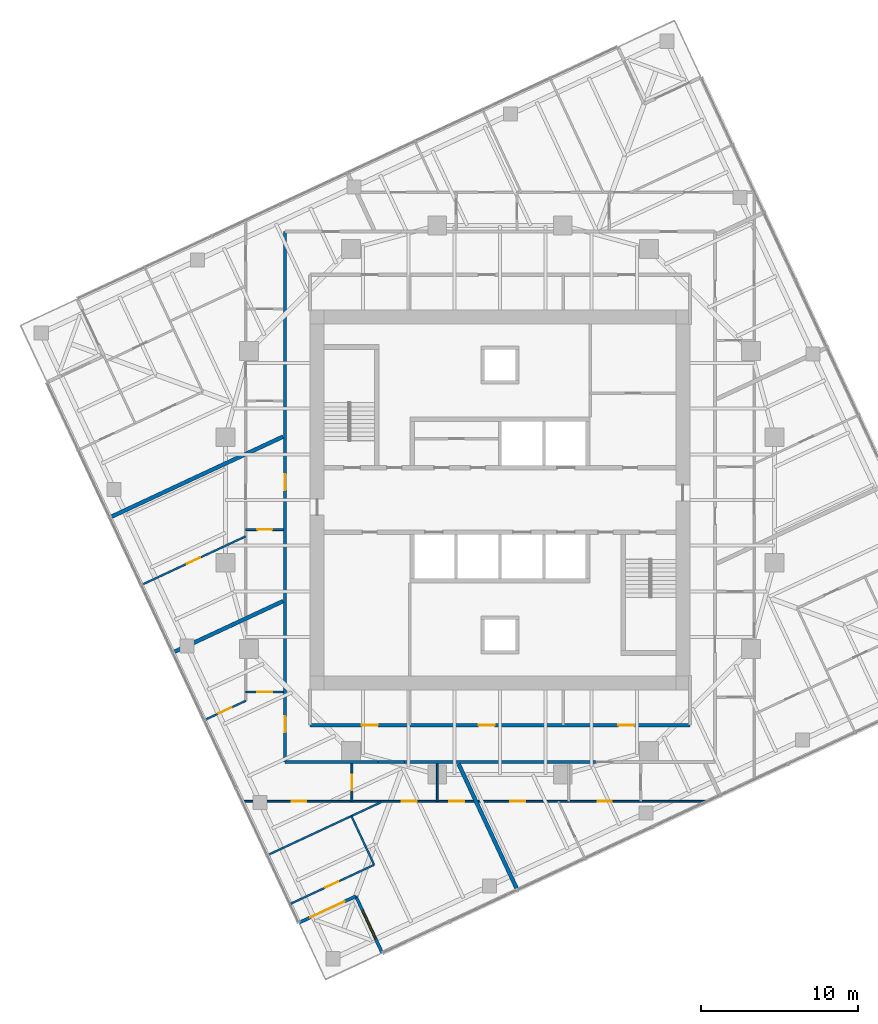
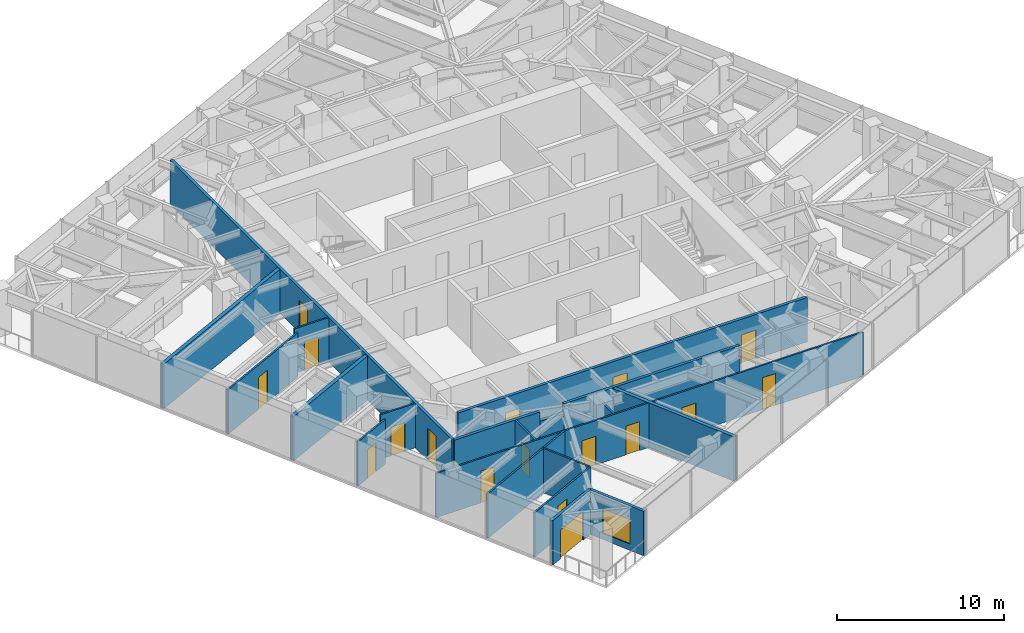
# One storey, part 7 of 12: 20 walls, 17 doors, 1 window, 18 openings.
"""IFC4 building model written with IfcOpenShell, lengths in metres."""

from ifc_helpers import new_model, si_unit, direction, frame, frame_2d, origin, place, context, subcontext, project, spatial, rectangle, extrude, material, layer, layer_set, type_object, element, fill, save


model = new_model("IFC4")

# Units and contexts
model_context = context("Model", 3, precision=1e-05, world=origin(), true_north=direction((0.0, 1.0)))
body_context = subcontext(model_context, "Body", "Model", "MODEL_VIEW")
ifc_project = project(units=[si_unit("LENGTHUNIT", "METRE"), si_unit("AREAUNIT", "SQUARE_METRE"), si_unit("VOLUMEUNIT", "CUBIC_METRE"), si_unit("PLANEANGLEUNIT", "RADIAN"), si_unit("MASSUNIT", "GRAM", prefix="KILO")], contexts=[model_context])

# Site, building, storey
site_placement = place(None, origin())
site = spatial("IfcSite", under=ifc_project, at=site_placement, CompositionType="ELEMENT")
building_placement = place(site_placement, origin())
building = spatial("IfcBuilding", under=site, at=building_placement, Name="Torsade Residences", CompositionType="ELEMENT")
storey_placement = place(building_placement, frame((0.0, 0.0, 193.0)))
storey = spatial("IfcBuildingStorey", under=building, at=storey_placement, Name="L53", CompositionType="ELEMENT", Elevation=193.0)

# Walls
ifc_material_1 = material(Name="Plasterboard on steel stud", Category="steel")
ifc_layer_1 = layer(ifc_material_1, 0.199951171875)
ifc_layer_set_1 = layer_set([ifc_layer_1], Name="Plasterboard on steel stud")
wall_type_1 = type_object("IfcWallType", Name="CORRIDOR WALL 200", PredefinedType="PARTITIONING", material=ifc_layer_set_1)
wall_1_placement = place(storey_placement, frame((26.300048828125, 13.300048828125, 0.0), z_axis=(0.0, 0.0, 1.0), x_axis=(1.0, 0.0, 0.0)))
element("IfcWall", 1, at=wall_1_placement, inside=storey, type_object=wall_type_1, Name="Corridor wall L53", PredefinedType="PARTITIONING", context=body_context, shape_type="SweptSolid", body=[
    extrude(rectangle(XDim=5.9248046875, YDim=0.199951171875, at=frame_2d((2.96240234375, 0.0))), origin(), (0.0, 0.0, 1.0), 3.25),
])
wall_2_placement = place(storey_placement, frame((32.224853515625, 13.300048828125, 0.0), z_axis=(0.0, 0.0, 1.0), x_axis=(1.0, 0.0, 0.0)))
element("IfcWall", 2, at=wall_2_placement, inside=storey, type_object=wall_type_1, Name="Corridor wall L53", PredefinedType="PARTITIONING", context=body_context, shape_type="SweptSolid", body=[
    extrude(rectangle(XDim=1.68359375, YDim=0.199951171875, at=frame_2d((0.841796875, 0.0))), origin(), (0.0, 0.0, 1.0), 2.550048828125),
])
wall_3_placement = place(storey_placement, frame((33.908447265625, 13.300048828125, 0.0), z_axis=(0.0, 0.0, 1.0), x_axis=(1.0, 0.0, 0.0)))
element("IfcWall", 3, at=wall_3_placement, inside=storey, type_object=wall_type_1, Name="Corridor wall L53", PredefinedType="PARTITIONING", context=body_context, shape_type="SweptSolid", body=[
    extrude(rectangle(XDim=12.18310546875, YDim=0.199951171875, at=frame_2d((6.091552734375, 0.0))), origin(), (0.0, 0.0, 1.0), 3.25),
])

# Wall, openings, doors
wall_4_placement = place(storey_placement, frame((26.300048828125, 47.10009765625, 0.0), z_axis=(0.0, 0.0, 1.0), x_axis=(0.0, -1.0, 0.0)))
wall_4 = element("IfcWall", 4, at=wall_4_placement, inside=storey, type_object=wall_type_1, Name="Corridor wall L53", PredefinedType="PARTITIONING", context=body_context, shape_type="SweptSolid", body=[
    extrude(rectangle(XDim=33.800048828125, YDim=0.199951171875, at=frame_2d((16.89990234375, 0.0))), origin(), (0.0, 0.0, 1.0), 3.25),
])
opening_1_placement = place(wall_4_placement, frame((15.44873046875, 0.0, 0.0)))
opening_1 = element("IfcOpeningElement", 5, at=opening_1_placement, cuts=wall_4, Name="Opening D01", PredefinedType="OPENING", context=body_context, shape_type="SweptSolid", body=[
    extrude(rectangle(XDim=1.02001953125, YDim=2.340087890625, at=frame_2d((0.510009765625, 1.169921875))), frame((0.0, 0.10986328125, 0.0), z_axis=(0.0, -1.0, 0.0), x_axis=(1.0, 0.0, 0.0)), (0.0, 0.0, 1.0), 0.219970703125),
])
opening_2_placement = place(wall_4_placement, frame((30.882568359375, 0.0, 0.0)))
opening_2 = element("IfcOpeningElement", 6, at=opening_2_placement, cuts=wall_4, Name="Opening D01", PredefinedType="OPENING", context=body_context, shape_type="SweptSolid", body=[
    extrude(rectangle(XDim=1.02001953125, YDim=2.340087890625, at=frame_2d((0.510009765625, 1.169921875))), frame((0.0, 0.10986328125, 0.0), z_axis=(0.0, -1.0, 0.0), x_axis=(1.0, 0.0, 0.0)), (0.0, 0.0, 1.0), 0.219970703125),
])
ifc_material_2 = material(Name="Solid-core timber fire door", Category="wood")
door_type_1 = type_object("IfcDoorType", Name="APARTMENT ENTRY DOOR 1020x2340", OperationType="NOTDEFINED", PredefinedType="DOOR", material=ifc_material_2)
door_1_placement = place(opening_1_placement, origin())
door_1 = element("IfcDoor", 7, at=door_1_placement, inside=storey, type_object=door_type_1, Name="Door Residential corridor to Kitchen and dining", OperationType="SINGLE_SWING_LEFT", OverallHeight=2.340087890625, OverallWidth=1.02001953125, PredefinedType="DOOR", context=body_context, shape_type="SweptSolid", body=[
    extrude(rectangle(XDim=1.02001953125, YDim=2.340087890625, at=frame_2d((0.510009765625, 1.169921875))), frame((0.0, 0.02490234375, 0.0), z_axis=(0.0, -1.0, 0.0), x_axis=(1.0, 0.0, 0.0)), (0.0, 0.0, 1.0), 0.050048828125),
])
fill(opening_1, door_1)
door_2_placement = place(opening_2_placement, origin())
door_2 = element("IfcDoor", 8, at=door_2_placement, inside=storey, type_object=door_type_1, Name="Door Residential corridor to Kitchen and dining", OperationType="SINGLE_SWING_RIGHT", OverallHeight=2.340087890625, OverallWidth=1.02001953125, PredefinedType="DOOR", context=body_context, shape_type="SweptSolid", body=[
    extrude(rectangle(XDim=1.02001953125, YDim=2.340087890625, at=frame_2d((0.510009765625, 1.169921875))), frame((0.0, 0.02490234375, 0.0), z_axis=(0.0, -1.0, 0.0), x_axis=(1.0, 0.0, 0.0)), (0.0, 0.0, 1.0), 0.050048828125),
])
fill(opening_2, door_2)

wall_5_placement = place(storey_placement, frame((27.89990234375, 15.64990234375, 0.0), z_axis=(0.0, 0.0, 1.0), x_axis=(1.0, 0.0, 0.0)))
wall_5 = element("IfcWall", 9, at=wall_5_placement, inside=storey, type_object=wall_type_1, Name="Corridor wall L53", PredefinedType="PARTITIONING", context=body_context, shape_type="SweptSolid", body=[
    extrude(rectangle(XDim=24.2001953125, YDim=0.199951171875, at=frame_2d((12.10009765625, 0.0))), origin(), (0.0, 0.0, 1.0), 3.25),
])
opening_3_placement = place(wall_5_placement, frame((10.742919921875, 0.0, 0.0)))
opening_3 = element("IfcOpeningElement", 10, at=opening_3_placement, cuts=wall_5, Name="Opening D03", PredefinedType="OPENING", context=body_context, shape_type="SweptSolid", body=[
    extrude(rectangle(XDim=1.02001953125, YDim=2.10009765625, at=frame_2d((0.510009765625, 1.050048828125))), frame((0.0, 0.10986328125, 0.0), z_axis=(0.0, -1.0, 0.0), x_axis=(1.0, 0.0, 0.0)), (0.0, 0.0, 1.0), 0.219970703125),
])
opening_4_placement = place(wall_5_placement, frame((19.6357421875, 0.0, 0.0)))
opening_4 = element("IfcOpeningElement", 11, at=opening_4_placement, cuts=wall_5, Name="Opening D03", PredefinedType="OPENING", context=body_context, shape_type="SweptSolid", body=[
    extrude(rectangle(XDim=1.02001953125, YDim=2.10009765625, at=frame_2d((0.510009765625, 1.050048828125))), frame((0.0, 0.10986328125, 0.0), z_axis=(0.0, -1.0, 0.0), x_axis=(1.0, 0.0, 0.0)), (0.0, 0.0, 1.0), 0.219970703125),
])
opening_5_placement = place(wall_5_placement, frame((3.29736328125, 0.0, 0.0)))
opening_5 = element("IfcOpeningElement", 12, at=opening_5_placement, cuts=wall_5, Name="Opening D03", PredefinedType="OPENING", context=body_context, shape_type="SweptSolid", body=[
    extrude(rectangle(XDim=1.02001953125, YDim=2.10009765625, at=frame_2d((0.510009765625, 1.050048828125))), frame((0.0, 0.10986328125, 0.0), z_axis=(0.0, -1.0, 0.0), x_axis=(1.0, 0.0, 0.0)), (0.0, 0.0, 1.0), 0.219970703125),
])
ifc_material_3 = material(Name="Steel-framed fire door", Category="steel")
door_type_2 = type_object("IfcDoorType", Name="FIRE DOOR 1020", OperationType="NOTDEFINED", PredefinedType="DOOR", material=ifc_material_3)
door_3_placement = place(opening_3_placement, origin())
door_3 = element("IfcDoor", 13, at=door_3_placement, inside=storey, type_object=door_type_2, Name="Door Residential corridor to Residents storage", OperationType="SINGLE_SWING_RIGHT", OverallHeight=2.10009765625, OverallWidth=1.02001953125, PredefinedType="DOOR", context=body_context, shape_type="SweptSolid", body=[
    extrude(rectangle(XDim=1.02001953125, YDim=2.10009765625, at=frame_2d((0.510009765625, 1.050048828125))), frame((0.0, 0.02490234375, 0.0), z_axis=(0.0, -1.0, 0.0), x_axis=(1.0, 0.0, 0.0)), (0.0, 0.0, 1.0), 0.050048828125),
])
fill(opening_3, door_3)
door_4_placement = place(opening_4_placement, origin())
door_4 = element("IfcDoor", 14, at=door_4_placement, inside=storey, type_object=door_type_2, Name="Door Residential corridor to Parcel room", OperationType="SINGLE_SWING_RIGHT", OverallHeight=2.10009765625, OverallWidth=1.02001953125, PredefinedType="DOOR", context=body_context, shape_type="SweptSolid", body=[
    extrude(rectangle(XDim=1.02001953125, YDim=2.10009765625, at=frame_2d((0.510009765625, 1.050048828125))), frame((0.0, 0.02490234375, 0.0), z_axis=(0.0, -1.0, 0.0), x_axis=(1.0, 0.0, 0.0)), (0.0, 0.0, 1.0), 0.050048828125),
])
fill(opening_4, door_4)
door_5_placement = place(opening_5_placement, origin())
door_5 = element("IfcDoor", 15, at=door_5_placement, inside=storey, type_object=door_type_2, Name="Door Residential corridor to Bulk store", OperationType="SINGLE_SWING_RIGHT", OverallHeight=2.10009765625, OverallWidth=1.02001953125, PredefinedType="DOOR", context=body_context, shape_type="SweptSolid", body=[
    extrude(rectangle(XDim=1.02001953125, YDim=2.10009765625, at=frame_2d((0.510009765625, 1.050048828125))), frame((0.0, 0.02490234375, 0.0), z_axis=(0.0, -1.0, 0.0), x_axis=(1.0, 0.0, 0.0)), (0.0, 0.0, 1.0), 0.050048828125),
])
fill(opening_5, door_5)

# Wall, opening, door
ifc_material_4 = material(Name="Plasterboard on steel stud", Category="steel")
ifc_layer_2 = layer(ifc_material_4, 0.1201171875)
ifc_layer_set_2 = layer_set([ifc_layer_2], Name="Plasterboard on steel stud")
wall_type_2 = type_object("IfcWallType", Name="PARTITION 120", PredefinedType="PARTITIONING", material=ifc_layer_set_2)
wall_6_placement = place(storey_placement, frame((26.199951171875, 28.1162109375, 0.0), z_axis=(0.0, 0.0, 1.0), x_axis=(-1.0, 0.0, 0.0)))
wall_6 = element("IfcWall", 16, at=wall_6_placement, inside=storey, type_object=wall_type_2, Name="Partition L53", PredefinedType="PARTITIONING", context=body_context, shape_type="SweptSolid", body=[
    extrude(rectangle(XDim=2.39990234375, YDim=0.1201171875, at=frame_2d((1.199951171875, 0.0))), origin(), (0.0, 0.0, 1.0), 3.25),
])
opening_6_placement = place(wall_6_placement, frame((0.719970703125, 0.0, 0.0)))
opening_6 = element("IfcOpeningElement", 17, at=opening_6_placement, cuts=wall_6, Name="Opening D05", PredefinedType="OPENING", context=body_context, shape_type="SweptSolid", body=[
    extrude(rectangle(XDim=0.9599609375, YDim=2.10009765625, at=frame_2d((0.47998046875, 1.050048828125))), frame((0.0, 0.070068359375, 0.0), z_axis=(0.0, -1.0, 0.0), x_axis=(1.0, 0.0, 0.0)), (0.0, 0.0, 1.0), 0.14013671875),
])
ifc_material_5 = material(Name="Hollow-core timber door in a steel cavity frame", Category="steel")
door_type_3 = type_object("IfcDoorType", Name="BATHROOM CAVITY SLIDING DOOR 960", OperationType="SLIDING_TO_LEFT", PredefinedType="DOOR", material=ifc_material_5)
door_6_placement = place(opening_6_placement, origin())
door_6 = element("IfcDoor", 18, at=door_6_placement, inside=storey, type_object=door_type_3, Name="Door Kitchen and dining to Bathroom", OperationType="SLIDING_TO_LEFT", OverallHeight=2.10009765625, OverallWidth=0.9599609375, PredefinedType="DOOR", context=body_context, shape_type="SweptSolid", body=[
    extrude(rectangle(XDim=0.9599609375, YDim=2.10009765625, at=frame_2d((0.47998046875, 1.050048828125))), frame((0.0, 0.02490234375, 0.0), z_axis=(0.0, -1.0, 0.0), x_axis=(1.0, 0.0, 0.0)), (0.0, 0.0, 1.0), 0.050048828125),
])
fill(opening_6, door_6)

wall_7_placement = place(storey_placement, frame((23.800048828125, 27.686767578125, 0.0), z_axis=(0.0, 0.0, 1.0), x_axis=(-0.906306986906, -0.422619977621, 0.0)))
wall_7 = element("IfcWall", 19, at=wall_7_placement, inside=storey, type_object=wall_type_2, Name="Partition L53", PredefinedType="PARTITIONING", context=body_context, shape_type="SweptSolid", body=[
    extrude(rectangle(XDim=7.30029296875, YDim=0.1201171875, at=frame_2d((3.650146484375, 0.0))), origin(), (0.0, 0.0, 1.0), 3.25),
])
opening_7_placement = place(wall_7_placement, frame((3.210205078125, 0.0, 0.0)))
opening_7 = element("IfcOpeningElement", 20, at=opening_7_placement, cuts=wall_7, Name="Opening D02", PredefinedType="OPENING", context=body_context, shape_type="SweptSolid", body=[
    extrude(rectangle(XDim=0.919921875, YDim=2.340087890625, at=frame_2d((0.4599609375, 1.169921875))), frame((0.0, 0.070068359375, 0.0), z_axis=(0.0, -1.0, 0.0), x_axis=(1.0, 0.0, 0.0)), (0.0, 0.0, 1.0), 0.14013671875),
])
ifc_material_6 = material(Name="Hollow-core timber door", Category="wood")
door_type_4 = type_object("IfcDoorType", Name="INTERNAL DOOR 920x2340", OperationType="NOTDEFINED", PredefinedType="DOOR", material=ifc_material_6)
door_7_placement = place(opening_7_placement, origin())
door_7 = element("IfcDoor", 21, at=door_7_placement, inside=storey, type_object=door_type_4, Name="Door Living room to Bedroom 1", OperationType="SINGLE_SWING_LEFT", OverallHeight=2.340087890625, OverallWidth=0.919921875, PredefinedType="DOOR", context=body_context, shape_type="SweptSolid", body=[
    extrude(rectangle(XDim=0.919921875, YDim=2.340087890625, at=frame_2d((0.4599609375, 1.169921875))), frame((0.0, 0.02490234375, 0.0), z_axis=(0.0, -1.0, 0.0), x_axis=(1.0, 0.0, 0.0)), (0.0, 0.0, 1.0), 0.050048828125),
])
fill(opening_7, door_7)

wall_8_placement = place(storey_placement, frame((23.800048828125, 17.7646484375, 0.0), z_axis=(0.0, 0.0, 1.0), x_axis=(1.0, 0.0, 0.0)))
wall_8 = element("IfcWall", 22, at=wall_8_placement, inside=storey, type_object=wall_type_2, Name="Partition L53", PredefinedType="PARTITIONING", context=body_context, shape_type="SweptSolid", body=[
    extrude(rectangle(XDim=2.39990234375, YDim=0.1201171875, at=frame_2d((1.199951171875, 0.0))), origin(), (0.0, 0.0, 1.0), 3.25),
])
opening_8_placement = place(wall_8_placement, frame((0.719970703125, 0.0, 0.0)))
opening_8 = element("IfcOpeningElement", 23, at=opening_8_placement, cuts=wall_8, Name="Opening D05", PredefinedType="OPENING", context=body_context, shape_type="SweptSolid", body=[
    extrude(rectangle(XDim=0.9599609375, YDim=2.10009765625, at=frame_2d((0.47998046875, 1.050048828125))), frame((0.0, 0.070068359375, 0.0), z_axis=(0.0, -1.0, 0.0), x_axis=(1.0, 0.0, 0.0)), (0.0, 0.0, 1.0), 0.14013671875),
])
door_8_placement = place(opening_8_placement, origin())
door_8 = element("IfcDoor", 24, at=door_8_placement, inside=storey, type_object=door_type_3, Name="Door Kitchen and dining to Bathroom", OperationType="SLIDING_TO_LEFT", OverallHeight=2.10009765625, OverallWidth=0.9599609375, PredefinedType="DOOR", context=body_context, shape_type="SweptSolid", body=[
    extrude(rectangle(XDim=0.9599609375, YDim=2.10009765625, at=frame_2d((0.47998046875, 1.050048828125))), frame((0.0, 0.02490234375, 0.0), z_axis=(0.0, -1.0, 0.0), x_axis=(1.0, 0.0, 0.0)), (0.0, 0.0, 1.0), 0.050048828125),
])
fill(opening_8, door_8)

wall_9_placement = place(storey_placement, frame((30.564208984375, 13.199951171875, 0.0), z_axis=(0.0, 0.0, 1.0), x_axis=(0.0, -1.0, 0.0)))
wall_9 = element("IfcWall", 25, at=wall_9_placement, inside=storey, type_object=wall_type_2, Name="Partition L53", PredefinedType="PARTITIONING", context=body_context, shape_type="SweptSolid", body=[
    extrude(rectangle(XDim=2.39990234375, YDim=0.1201171875, at=frame_2d((1.199951171875, 0.0))), origin(), (0.0, 0.0, 1.0), 3.25),
])
opening_9_placement = place(wall_9_placement, frame((0.719970703125, 0.0, 0.0)))
opening_9 = element("IfcOpeningElement", 26, at=opening_9_placement, cuts=wall_9, Name="Opening D05", PredefinedType="OPENING", context=body_context, shape_type="SweptSolid", body=[
    extrude(rectangle(XDim=0.9599609375, YDim=2.10009765625, at=frame_2d((0.47998046875, 1.050048828125))), frame((0.0, 0.070068359375, 0.0), z_axis=(0.0, -1.0, 0.0), x_axis=(1.0, 0.0, 0.0)), (0.0, 0.0, 1.0), 0.14013671875),
])
door_9_placement = place(opening_9_placement, origin())
door_9 = element("IfcDoor", 27, at=door_9_placement, inside=storey, type_object=door_type_3, Name="Door Kitchen and dining to Ensuite", OperationType="SLIDING_TO_LEFT", OverallHeight=2.10009765625, OverallWidth=0.9599609375, PredefinedType="DOOR", context=body_context, shape_type="SweptSolid", body=[
    extrude(rectangle(XDim=0.9599609375, YDim=2.10009765625, at=frame_2d((0.47998046875, 1.050048828125))), frame((0.0, 0.02490234375, 0.0), z_axis=(0.0, -1.0, 0.0), x_axis=(1.0, 0.0, 0.0)), (0.0, 0.0, 1.0), 0.050048828125),
])
fill(opening_9, door_9)

# Wall, openings, doors
wall_10_placement = place(storey_placement, frame((53.2080078125, 10.800048828125, 0.0), z_axis=(0.0, 0.0, 1.0), x_axis=(-1.0, 0.0, 0.0)))
wall_10 = element("IfcWall", 28, at=wall_10_placement, inside=storey, type_object=wall_type_2, Name="Partition L53", PredefinedType="PARTITIONING", context=body_context, shape_type="SweptSolid", body=[
    extrude(rectangle(XDim=29.592529296875, YDim=0.1201171875, at=frame_2d((14.79638671875, 0.0))), origin(), (0.0, 0.0, 1.0), 3.25),
])
opening_10_placement = place(wall_10_placement, frame((6.073974609375, 0.0, 0.0)))
opening_10 = element("IfcOpeningElement", 29, at=opening_10_placement, cuts=wall_10, Name="Opening D02", PredefinedType="OPENING", context=body_context, shape_type="SweptSolid", body=[
    extrude(rectangle(XDim=0.919921875, YDim=2.340087890625, at=frame_2d((0.4599609375, 1.169921875))), frame((0.0, 0.070068359375, 0.0), z_axis=(0.0, -1.0, 0.0), x_axis=(1.0, 0.0, 0.0)), (0.0, 0.0, 1.0), 0.14013671875),
])
opening_11_placement = place(wall_10_placement, frame((25.56591796875, 0.0, 0.0)))
opening_11 = element("IfcOpeningElement", 30, at=opening_11_placement, cuts=wall_10, Name="Opening D02", PredefinedType="OPENING", context=body_context, shape_type="SweptSolid", body=[
    extrude(rectangle(XDim=0.919921875, YDim=2.340087890625, at=frame_2d((0.4599609375, 1.169921875))), frame((0.0, 0.070068359375, 0.0), z_axis=(0.0, -1.0, 0.0), x_axis=(1.0, 0.0, 0.0)), (0.0, 0.0, 1.0), 0.14013671875),
])
opening_12_placement = place(wall_10_placement, frame((18.515380859375, 0.0, 0.0)))
opening_12 = element("IfcOpeningElement", 31, at=opening_12_placement, cuts=wall_10, Name="Opening D05", PredefinedType="OPENING", context=body_context, shape_type="SweptSolid", body=[
    extrude(rectangle(XDim=0.9599609375, YDim=2.10009765625, at=frame_2d((0.47998046875, 1.050048828125))), frame((0.0, 0.070068359375, 0.0), z_axis=(0.0, -1.0, 0.0), x_axis=(1.0, 0.0, 0.0)), (0.0, 0.0, 1.0), 0.14013671875),
])
opening_13_placement = place(wall_10_placement, frame((15.49267578125, 0.0, 0.0)))
opening_13 = element("IfcOpeningElement", 32, at=opening_13_placement, cuts=wall_10, Name="Opening D05", PredefinedType="OPENING", context=body_context, shape_type="SweptSolid", body=[
    extrude(rectangle(XDim=0.9599609375, YDim=2.10009765625, at=frame_2d((0.47998046875, 1.050048828125))), frame((0.0, 0.070068359375, 0.0), z_axis=(0.0, -1.0, 0.0), x_axis=(1.0, 0.0, 0.0)), (0.0, 0.0, 1.0), 0.14013671875),
])
opening_14_placement = place(wall_10_placement, frame((11.60888671875, 0.0, 0.0)))
opening_14 = element("IfcOpeningElement", 33, at=opening_14_placement, cuts=wall_10, Name="Opening D05", PredefinedType="OPENING", context=body_context, shape_type="SweptSolid", body=[
    extrude(rectangle(XDim=0.9599609375, YDim=2.10009765625, at=frame_2d((0.47998046875, 1.050048828125))), frame((0.0, 0.070068359375, 0.0), z_axis=(0.0, -1.0, 0.0), x_axis=(1.0, 0.0, 0.0)), (0.0, 0.0, 1.0), 0.14013671875),
])
door_10_placement = place(opening_12_placement, origin())
door_10 = element("IfcDoor", 34, at=door_10_placement, inside=storey, type_object=door_type_3, Name="Door Ensuite to Living room", OperationType="SLIDING_TO_LEFT", OverallHeight=2.10009765625, OverallWidth=0.9599609375, PredefinedType="DOOR", context=body_context, shape_type="SweptSolid", body=[
    extrude(rectangle(XDim=0.9599609375, YDim=2.10009765625, at=frame_2d((0.47998046875, 1.050048828125))), frame((0.0, 0.02490234375, 0.0), z_axis=(0.0, -1.0, 0.0), x_axis=(1.0, 0.0, 0.0)), (0.0, 0.0, 1.0), 0.050048828125),
])
fill(opening_12, door_10)
door_11_placement = place(opening_13_placement, origin())
door_11 = element("IfcDoor", 35, at=door_11_placement, inside=storey, type_object=door_type_3, Name="Door Living room to Laundry", OperationType="SLIDING_TO_LEFT", OverallHeight=2.10009765625, OverallWidth=0.9599609375, PredefinedType="DOOR", context=body_context, shape_type="SweptSolid", body=[
    extrude(rectangle(XDim=0.9599609375, YDim=2.10009765625, at=frame_2d((0.47998046875, 1.050048828125))), frame((0.0, 0.02490234375, 0.0), z_axis=(0.0, -1.0, 0.0), x_axis=(1.0, 0.0, 0.0)), (0.0, 0.0, 1.0), 0.050048828125),
])
fill(opening_13, door_11)
door_12_placement = place(opening_14_placement, origin())
door_12 = element("IfcDoor", 36, at=door_12_placement, inside=storey, type_object=door_type_3, Name="Door Living room to Bathroom", OperationType="SLIDING_TO_LEFT", OverallHeight=2.10009765625, OverallWidth=0.9599609375, PredefinedType="DOOR", context=body_context, shape_type="SweptSolid", body=[
    extrude(rectangle(XDim=0.9599609375, YDim=2.10009765625, at=frame_2d((0.47998046875, 1.050048828125))), frame((0.0, 0.02490234375, 0.0), z_axis=(0.0, -1.0, 0.0), x_axis=(1.0, 0.0, 0.0)), (0.0, 0.0, 1.0), 0.050048828125),
])
fill(opening_14, door_12)
door_13_placement = place(opening_10_placement, origin())
door_13 = element("IfcDoor", 37, at=door_13_placement, inside=storey, type_object=door_type_4, Name="Door Kitchen and dining to Bedroom 1", OperationType="SINGLE_SWING_RIGHT", OverallHeight=2.340087890625, OverallWidth=0.919921875, PredefinedType="DOOR", context=body_context, shape_type="SweptSolid", body=[
    extrude(rectangle(XDim=0.919921875, YDim=2.340087890625, at=frame_2d((0.4599609375, 1.169921875))), frame((0.0, 0.02490234375, 0.0), z_axis=(0.0, -1.0, 0.0), x_axis=(1.0, 0.0, 0.0)), (0.0, 0.0, 1.0), 0.050048828125),
])
fill(opening_10, door_13)
door_14_placement = place(opening_11_placement, origin())
door_14 = element("IfcDoor", 38, at=door_14_placement, inside=storey, type_object=door_type_4, Name="Door Kitchen and dining to Bedroom 1", OperationType="SINGLE_SWING_RIGHT", OverallHeight=2.340087890625, OverallWidth=0.919921875, PredefinedType="DOOR", context=body_context, shape_type="SweptSolid", body=[
    extrude(rectangle(XDim=0.919921875, YDim=2.340087890625, at=frame_2d((0.4599609375, 1.169921875))), frame((0.0, 0.02490234375, 0.0), z_axis=(0.0, -1.0, 0.0), x_axis=(1.0, 0.0, 0.0)), (0.0, 0.0, 1.0), 0.050048828125),
])
fill(opening_11, door_14)

# Wall, opening, door
wall_11_placement = place(storey_placement, frame((21.19873046875, 15.99169921875, 0.0), z_axis=(0.0, 0.0, 1.0), x_axis=(0.906291760669, 0.422652628697, 0.0)))
wall_11 = element("IfcWall", 39, at=wall_11_placement, inside=storey, type_object=wall_type_2, Name="Partition L53", PredefinedType="PARTITIONING", context=body_context, shape_type="SweptSolid", body=[
    extrude(rectangle(XDim=2.870361328125, YDim=0.1201171875, at=frame_2d((1.43505859375, 0.0))), origin(), (0.0, 0.0, 1.0), 3.25),
])
opening_15_placement = place(wall_11_placement, frame((0.955078125, 0.0, 0.0)))
opening_15 = element("IfcOpeningElement", 40, at=opening_15_placement, cuts=wall_11, Name="Opening D02L", PredefinedType="OPENING", context=body_context, shape_type="SweptSolid", body=[
    extrude(rectangle(XDim=0.919921875, YDim=2.10009765625, at=frame_2d((0.4599609375, 1.050048828125))), frame((0.0, 0.070068359375, 0.0), z_axis=(0.0, -1.0, 0.0), x_axis=(1.0, 0.0, 0.0)), (0.0, 0.0, 1.0), 0.14013671875),
])
ifc_material_7 = material(Name="Hollow-core timber door", Category="wood")
door_type_5 = type_object("IfcDoorType", Name="INTERNAL DOOR 920x2100", OperationType="NOTDEFINED", PredefinedType="DOOR", material=ifc_material_7)
door_15_placement = place(opening_15_placement, origin())
door_15 = element("IfcDoor", 41, at=door_15_placement, inside=storey, type_object=door_type_5, Name="Door Kitchen and dining to Bedroom 3", OperationType="SINGLE_SWING_RIGHT", OverallHeight=2.10009765625, OverallWidth=0.919921875, PredefinedType="DOOR", context=body_context, shape_type="SweptSolid", body=[
    extrude(rectangle(XDim=0.919921875, YDim=2.10009765625, at=frame_2d((0.4599609375, 1.050048828125))), frame((0.0, 0.02490234375, 0.0), z_axis=(0.0, -1.0, 0.0), x_axis=(1.0, 0.0, 0.0)), (0.0, 0.0, 1.0), 0.050048828125),
])
fill(opening_15, door_15)

# Walls
wall_12_placement = place(storey_placement, frame((36.0, 13.199951171875, 0.0), z_axis=(0.0, 0.0, 1.0), x_axis=(0.0, -1.0, 0.0)))
element("IfcWall", 42, at=wall_12_placement, inside=storey, type_object=wall_type_2, Name="Partition L53", PredefinedType="PARTITIONING", context=body_context, shape_type="SweptSolid", body=[
    extrude(rectangle(XDim=2.39990234375, YDim=0.1201171875, at=frame_2d((1.199951171875, 0.0))), origin(), (0.0, 0.0, 1.0), 3.25),
])
wall_13_placement = place(storey_placement, frame((25.21337890625, 7.3818359375, 0.0), z_axis=(0.0, 0.0, 1.0), x_axis=(0.906311876708, 0.422609491301, 0.0)))
element("IfcWall", 43, at=wall_13_placement, inside=storey, type_object=wall_type_2, Name="Partition L53", PredefinedType="PARTITIONING", context=body_context, shape_type="SweptSolid", body=[
    extrude(rectangle(XDim=8.08837890625, YDim=0.1201171875, at=frame_2d((4.044189453125, 0.0))), origin(), (0.0, 0.0, 1.0), 3.25),
])

# Wall, opening, door
wall_14_placement = place(storey_placement, frame((26.663330078125, 4.272705078125, 0.0), z_axis=(0.0, 0.0, 1.0), x_axis=(0.906259747144, 0.42272126834, 0.0)))
wall_14 = element("IfcWall", 44, at=wall_14_placement, inside=storey, type_object=wall_type_2, Name="Partition L53", PredefinedType="PARTITIONING", context=body_context, shape_type="SweptSolid", body=[
    extrude(rectangle(XDim=5.86083984375, YDim=0.1201171875, at=frame_2d((2.930419921875, 0.0))), origin(), (0.0, 0.0, 1.0), 3.25),
])
opening_16_placement = place(wall_14_placement, frame((2.450439453125, 0.0, 0.0)))
opening_16 = element("IfcOpeningElement", 45, at=opening_16_placement, cuts=wall_14, Name="Opening D02", PredefinedType="OPENING", context=body_context, shape_type="SweptSolid", body=[
    extrude(rectangle(XDim=0.919921875, YDim=2.340087890625, at=frame_2d((0.4599609375, 1.169921875))), frame((0.0, 0.070068359375, 0.0), z_axis=(0.0, -1.0, 0.0), x_axis=(1.0, 0.0, 0.0)), (0.0, 0.0, 1.0), 0.14013671875),
])
door_16_placement = place(opening_16_placement, origin())
door_16 = element("IfcDoor", 46, at=door_16_placement, inside=storey, type_object=door_type_4, Name="Door Living room to Bedroom 2", OperationType="SINGLE_SWING_RIGHT", OverallHeight=2.340087890625, OverallWidth=0.919921875, PredefinedType="DOOR", context=body_context, shape_type="SweptSolid", body=[
    extrude(rectangle(XDim=0.919921875, YDim=2.340087890625, at=frame_2d((0.4599609375, 1.169921875))), frame((0.0, 0.02490234375, 0.0), z_axis=(0.0, -1.0, 0.0), x_axis=(1.0, 0.0, 0.0)), (0.0, 0.0, 1.0), 0.050048828125),
])
fill(opening_16, door_16)

# Walls
wall_15_placement = place(storey_placement, frame((31.976318359375, 6.76123046875, 0.0), z_axis=(0.0, 0.0, 1.0), x_axis=(-0.422608022988, 0.906312561375, 0.0)))
element("IfcWall", 47, at=wall_15_placement, inside=storey, type_object=wall_type_2, Name="Partition L53", PredefinedType="PARTITIONING", context=body_context, shape_type="SweptSolid", body=[
    extrude(rectangle(XDim=3.420654296875, YDim=0.1201171875, at=frame_2d((1.71044921875, 0.0))), origin(), (0.0, 0.0, 1.0), 3.25),
])
ifc_material_8 = material(Name="Masonry-lined stud party wall", Category="masonry")
ifc_layer_3 = layer(ifc_material_8, 0.25)
ifc_layer_set_3 = layer_set([ifc_layer_3], Name="Masonry-lined stud party wall")
wall_type_3 = type_object("IfcWallType", Name="PARTY WALL 250", PredefinedType="PARTITIONING", material=ifc_layer_set_3)
wall_16_placement = place(storey_placement, frame((41.1103515625, 5.14013671875, 0.0), z_axis=(0.0, 0.0, 1.0), x_axis=(-0.42262942879, 0.906302579672, 0.0)))
element("IfcWall", 48, at=wall_16_placement, inside=storey, type_object=wall_type_3, Name="Party wall L53", PredefinedType="PARTITIONING", context=body_context, shape_type="SweptSolid", body=[
    extrude(rectangle(XDim=8.874755859375, YDim=0.25, at=frame_2d((4.4375, 0.0))), origin(), (0.0, 0.0, 1.0), 3.25),
])
wall_17_placement = place(storey_placement, frame((19.155029296875, 20.27978515625, 0.0), z_axis=(0.0, 0.0, 1.0), x_axis=(0.906308569177, 0.422616584432, 0.0)))
element("IfcWall", 49, at=wall_17_placement, inside=storey, type_object=wall_type_3, Name="Party wall L53", PredefinedType="PARTITIONING", context=body_context, shape_type="SweptSolid", body=[
    extrude(rectangle(XDim=7.7548828125, YDim=0.25, at=frame_2d((3.87744140625, 0.0))), origin(), (0.0, 0.0, 1.0), 3.25),
])
wall_18_placement = place(storey_placement, frame((15.14013671875, 28.8896484375, 0.0), z_axis=(0.0, 0.0, 1.0), x_axis=(0.906303906082, 0.422626584374, 0.0)))
element("IfcWall", 50, at=wall_18_placement, inside=storey, type_object=wall_type_3, Name="Party wall L53", PredefinedType="PARTITIONING", context=body_context, shape_type="SweptSolid", body=[
    extrude(rectangle(XDim=12.184814453125, YDim=0.25, at=frame_2d((6.09228515625, 0.0))), origin(), (0.0, 0.0, 1.0), 3.25),
])

# Wall, opening, door
ifc_material_9 = material(Name="Stone-faced precast concrete 40 MPa panel", Category="masonry")
ifc_layer_4 = layer(ifc_material_9, 0.199951171875)
ifc_layer_set_4 = layer_set([ifc_layer_4], Name="Stone-faced precast concrete 40 MPa panel")
wall_type_4 = type_object("IfcWallType", Name="TERRACE WALL 200", PredefinedType="SOLIDWALL", material=ifc_layer_set_4)
wall_19_placement = place(storey_placement, frame((27.1845703125, 3.059814453125, 0.0), z_axis=(0.0, 0.0, 1.0), x_axis=(0.906289140828, 0.422658246362, 0.0)))
wall_19 = element("IfcWall", 51, at=wall_19_placement, inside=storey, type_object=wall_type_4, Name="Terrace wall L53 11", PredefinedType="SOLIDWALL", context=body_context, shape_type="SweptSolid", body=[
    extrude(rectangle(XDim=4.0, YDim=0.199951171875, at=frame_2d((2.0, 0.0))), origin(), (0.0, 0.0, 1.0), 3.25),
])
opening_17_placement = place(wall_19_placement, frame((0.800048828125, 0.0, 0.0)))
opening_17 = element("IfcOpeningElement", 52, at=opening_17_placement, cuts=wall_19, Name="Opening D10A", PredefinedType="OPENING", context=body_context, shape_type="SweptSolid", body=[
    extrude(rectangle(XDim=2.39990234375, YDim=2.10009765625, at=frame_2d((1.199951171875, 1.050048828125))), frame((0.0, 0.10986328125, 0.0), z_axis=(0.0, -1.0, 0.0), x_axis=(1.0, 0.0, 0.0)), (0.0, 0.0, 1.0), 0.219970703125),
])
ifc_material_10 = material(Name="Aluminium-framed glass door", Category="aluminium")
door_type_6 = type_object("IfcDoorType", Name="TERRACE SLIDING DOOR 2400x2100", OperationType="SLIDING_TO_LEFT", PredefinedType="DOOR", material=ifc_material_10)
door_17_placement = place(opening_17_placement, origin())
door_17 = element("IfcDoor", 53, at=door_17_placement, inside=storey, type_object=door_type_6, Name="Terrace door L53 11", OperationType="SLIDING_TO_LEFT", OverallHeight=2.10009765625, OverallWidth=2.39990234375, PredefinedType="DOOR", context=body_context, shape_type="SweptSolid", body=[
    extrude(rectangle(XDim=2.39990234375, YDim=2.10009765625, at=frame_2d((1.199951171875, 1.050048828125))), frame((0.0, 0.02490234375, 0.0), z_axis=(0.0, -1.0, 0.0), x_axis=(1.0, 0.0, 0.0)), (0.0, 0.0, 1.0), 0.050048828125),
])
fill(opening_17, door_17)

# Wall, opening, window
wall_20_placement = place(storey_placement, frame((30.809814453125, 4.75048828125, 0.0), z_axis=(0.0, 0.0, 1.0), x_axis=(0.422658246362, -0.906289140828, 0.0)))
wall_20 = element("IfcWall", 54, at=wall_20_placement, inside=storey, type_object=wall_type_4, Name="Terrace wall L53 12", PredefinedType="SOLIDWALL", context=body_context, shape_type="SweptSolid", body=[
    extrude(rectangle(XDim=4.0, YDim=0.199951171875, at=frame_2d((2.0, 0.0))), origin(), (0.0, 0.0, 1.0), 3.25),
])
opening_18_placement = place(wall_20_placement, frame((1.0, 0.0, 0.449951171875)))
opening_18 = element("IfcOpeningElement", 55, at=opening_18_placement, cuts=wall_20, Name="Opening W1B", PredefinedType="OPENING", context=body_context, shape_type="SweptSolid", body=[
    extrude(rectangle(XDim=2.0, YDim=1.800048828125, at=frame_2d((1.0, 0.89990234375))), frame((0.0, 0.10986328125, 0.0), z_axis=(0.0, -1.0, 0.0), x_axis=(1.0, 0.0, 0.0)), (0.0, 0.0, 1.0), 0.219970703125),
])
ifc_material_11 = material(Name="Aluminium-framed glass window", Category="aluminium")
window_type = type_object("IfcWindowType", Name="TERRACE WINDOW 2000x1800", PartitioningType="SINGLE_PANEL", PredefinedType="WINDOW", material=ifc_material_11)
window_placement = place(opening_18_placement, origin())
window = element("IfcWindow", 56, at=window_placement, inside=storey, type_object=window_type, Name="Terrace window L53 12", OverallHeight=1.800048828125, OverallWidth=2.0, PartitioningType="SINGLE_PANEL", PredefinedType="WINDOW", context=body_context, shape_type="SweptSolid", body=[
    extrude(rectangle(XDim=2.0, YDim=1.800048828125, at=frame_2d((1.0, 0.89990234375))), frame((0.0, 0.030029296875, 0.0), z_axis=(0.0, -1.0, 0.0), x_axis=(1.0, 0.0, 0.0)), (0.0, 0.0, 1.0), 0.06005859375),
])
fill(opening_18, window)

save(model, "model.ifc")
